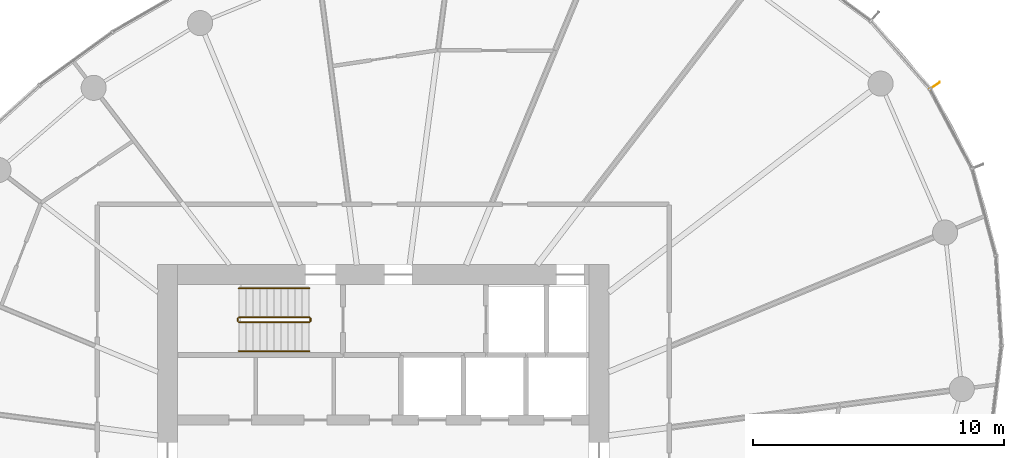
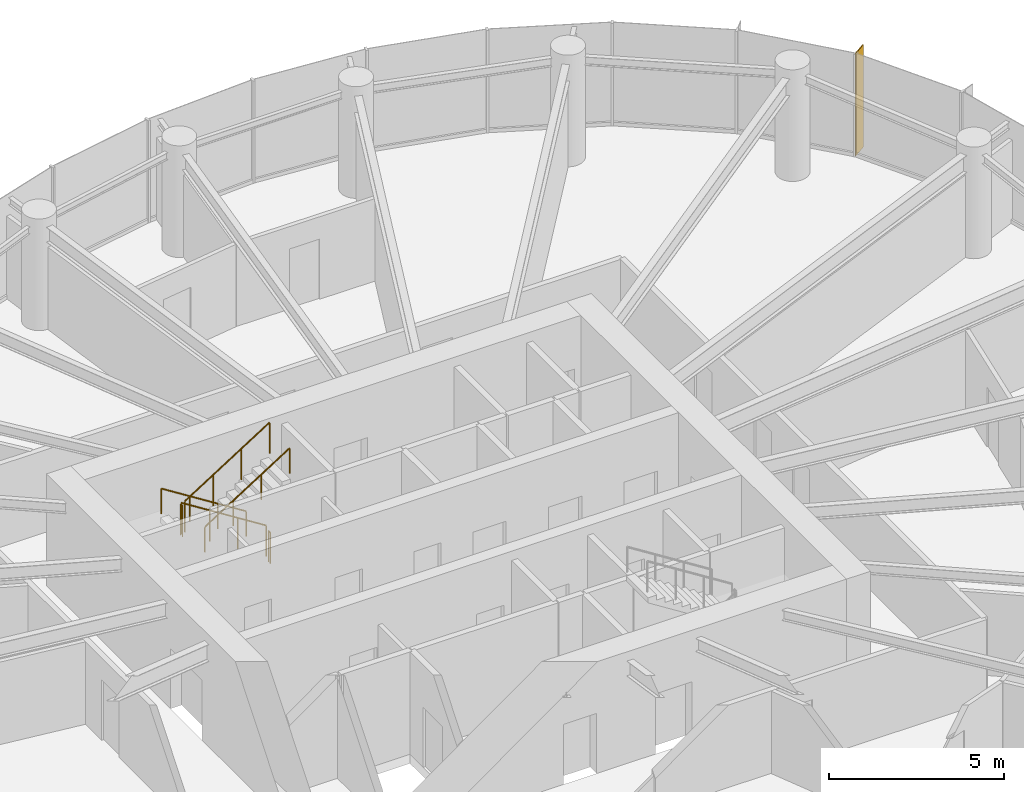
# One storey, part 13 of 14: 6 railings, 1 shading device.
"""IFC4 building model written with IfcOpenShell, lengths in metres."""

from ifc_helpers import new_model, si_unit, direction, frame, origin, origin_2d, place, context, subcontext, project, spatial, rectangle, circle, extrude, source, transform, mapped, material, material_profile, profile_set, type_object, element, save


model = new_model("IFC4")

# Units and contexts
model_context = context("Model", 3, precision=1e-05, world=origin(), true_north=direction((0.0, 1.0)))
body_context = subcontext(model_context, "Body", "Model", "MODEL_VIEW")
ifc_project = project(units=[si_unit("LENGTHUNIT", "METRE"), si_unit("AREAUNIT", "SQUARE_METRE"), si_unit("VOLUMEUNIT", "CUBIC_METRE"), si_unit("PLANEANGLEUNIT", "RADIAN"), si_unit("MASSUNIT", "GRAM", prefix="KILO")], contexts=[model_context])

# Site, building, storey
site_placement = place(None, origin())
site = spatial("IfcSite", under=ifc_project, at=site_placement, CompositionType="ELEMENT")
building_placement = place(site_placement, origin())
building = spatial("IfcBuilding", under=site, at=building_placement, Name="Spindrift Exchange Tower", CompositionType="ELEMENT")
storey_placement = place(building_placement, frame((0.0, 0.0, 148.699951171875)))
storey = spatial("IfcBuildingStorey", under=building, at=storey_placement, Name="L35", CompositionType="ELEMENT", Elevation=148.699951171875)

# Railings
ifc_material_1 = material(Name="Steel balustrade", Category="steel")
railing_type_1 = type_object("IfcRailingType", Name="RL-STAIR-GUARD", PredefinedType="GUARDRAIL", material=ifc_material_1)
railing_1_placement = place(storey_placement, frame((49.050048828125, 53.89990234375, 0.17724609375)))
element("IfcRailing", 1, at=railing_1_placement, inside=storey, type_object=railing_type_1, Name="L35 ST1 stair guard 1", PredefinedType="GUARDRAIL", context=body_context, shape_type="SweptSolid", body=[
    extrude(circle(Radius=0.02392578125, at=origin_2d()), frame((0.0, 0.0, 1.076171875), z_axis=(-0.844908973607, 0.0, 0.534910110503), x_axis=(0.0, -1.0, 0.0)), (0.0, 0.0, 1.0), 3.31396484375),
    extrude(circle(Radius=0.02099609375, at=origin_2d()), origin(), (0.0, 0.0, 1.0), 1.052001953125),
    extrude(circle(Radius=0.02099609375, at=origin_2d()), frame((-0.933349609375, 0.0, 0.5908203125)), (0.0, 0.0, 1.0), 1.052001953125),
    extrude(circle(Radius=0.02099609375, at=origin_2d()), frame((-1.86669921875, 0.0, 1.181884765625)), (0.0, 0.0, 1.0), 1.052001953125),
    extrude(circle(Radius=0.02099609375, at=origin_2d()), frame((-2.800048828125, 0.0, 1.772705078125)), (0.0, 0.0, 1.0), 1.052001953125),
])
railing_2_placement = place(storey_placement, frame((46.199951171875, 53.85009765625, 1.949951171875)))
element("IfcRailing", 2, at=railing_2_placement, inside=storey, type_object=railing_type_1, Name="L35 ST1 stair guard 2", PredefinedType="GUARDRAIL", context=body_context, shape_type="SweptSolid", body=[
    extrude(circle(Radius=0.02392578125, at=origin_2d()), frame((0.0, 0.0, 1.076171875), z_axis=(0.0, -1.0, 0.0), x_axis=(1.0, 0.0, 0.0)), (0.0, 0.0, 1.0), 0.10009765625),
    extrude(circle(Radius=0.02099609375, at=origin_2d()), origin(), (0.0, 0.0, 1.0), 1.052001953125),
    extrude(circle(Radius=0.02099609375, at=origin_2d()), frame((0.0, -0.10009765625, 0.0)), (0.0, 0.0, 1.0), 1.052001953125),
])
railing_3_placement = place(storey_placement, frame((46.25, 53.699951171875, 2.12744140625)))
element("IfcRailing", 3, at=railing_3_placement, inside=storey, type_object=railing_type_1, Name="L35 ST1 stair guard 3", PredefinedType="GUARDRAIL", context=body_context, shape_type="SweptSolid", body=[
    extrude(circle(Radius=0.02392578125, at=origin_2d()), frame((0.0, 0.0, 1.076171875), z_axis=(0.844908973607, 0.0, 0.534910110503), x_axis=(0.0, 1.0, 0.0)), (0.0, 0.0, 1.0), 3.31396484375),
    extrude(circle(Radius=0.02099609375, at=origin_2d()), origin(), (0.0, 0.0, 1.0), 1.052001953125),
    extrude(circle(Radius=0.02099609375, at=origin_2d()), frame((0.933349609375, 0.0, 0.5908203125)), (0.0, 0.0, 1.0), 1.052001953125),
    extrude(circle(Radius=0.02099609375, at=origin_2d()), frame((1.86669921875, 0.0, 1.181884765625)), (0.0, 0.0, 1.0), 1.052001953125),
    extrude(circle(Radius=0.02099609375, at=origin_2d()), frame((2.800048828125, 0.0, 1.772705078125)), (0.0, 0.0, 1.0), 1.052001953125),
])
railing_4_placement = place(storey_placement, frame((49.10009765625, 53.85009765625, 0.0)))
element("IfcRailing", 4, at=railing_4_placement, inside=storey, type_object=railing_type_1, Name="L35 ST1 stair guard 4", PredefinedType="GUARDRAIL", context=body_context, shape_type="SweptSolid", body=[
    extrude(circle(Radius=0.02392578125, at=origin_2d()), frame((0.0, 0.0, 1.076171875), z_axis=(0.0, -1.0, 0.0), x_axis=(1.0, 0.0, 0.0)), (0.0, 0.0, 1.0), 0.10009765625),
    extrude(circle(Radius=0.02099609375, at=origin_2d()), origin(), (0.0, 0.0, 1.0), 1.052001953125),
    extrude(circle(Radius=0.02099609375, at=origin_2d()), frame((0.0, -0.10009765625, 0.0)), (0.0, 0.0, 1.0), 1.052001953125),
])
ifc_material_2 = material(Name="Steel tubular handrail", Category="steel")
railing_type_2 = type_object("IfcRailingType", Name="RL-STAIR-HAND", PredefinedType="HANDRAIL", material=ifc_material_2)
railing_5_placement = place(storey_placement, frame((49.050048828125, 55.050048828125, 0.17724609375)))
element("IfcRailing", 5, at=railing_5_placement, inside=storey, type_object=railing_type_2, Name="L35 ST1 stair handrail 1", PredefinedType="HANDRAIL", context=body_context, shape_type="SweptSolid", body=[
    extrude(circle(Radius=0.02392578125, at=origin_2d()), frame((0.0, 0.0, 0.8759765625), z_axis=(-0.844908973607, 0.0, 0.534910110503), x_axis=(0.0, -1.0, 0.0)), (0.0, 0.0, 1.0), 3.31396484375),
    extrude(circle(Radius=0.02099609375, at=origin_2d()), origin(), (0.0, 0.0, 1.0), 0.851806640625),
    extrude(circle(Radius=0.02099609375, at=origin_2d()), frame((-0.933349609375, 0.0, 0.5908203125)), (0.0, 0.0, 1.0), 0.851806640625),
    extrude(circle(Radius=0.02099609375, at=origin_2d()), frame((-1.86669921875, 0.0, 1.181884765625)), (0.0, 0.0, 1.0), 0.851806640625),
    extrude(circle(Radius=0.02099609375, at=origin_2d()), frame((-2.800048828125, 0.0, 1.772705078125)), (0.0, 0.0, 1.0), 0.851806640625),
])
railing_6_placement = place(storey_placement, frame((46.25, 52.550048828125, 2.12744140625)))
element("IfcRailing", 6, at=railing_6_placement, inside=storey, type_object=railing_type_2, Name="L35 ST1 stair handrail 2", PredefinedType="HANDRAIL", context=body_context, shape_type="SweptSolid", body=[
    extrude(circle(Radius=0.02392578125, at=origin_2d()), frame((0.0, 0.0, 0.8759765625), z_axis=(0.844908973607, 0.0, 0.534910110503), x_axis=(0.0, 1.0, 0.0)), (0.0, 0.0, 1.0), 3.31396484375),
    extrude(circle(Radius=0.02099609375, at=origin_2d()), origin(), (0.0, 0.0, 1.0), 0.851806640625),
    extrude(circle(Radius=0.02099609375, at=origin_2d()), frame((0.933349609375, 0.0, 0.5908203125)), (0.0, 0.0, 1.0), 0.851806640625),
    extrude(circle(Radius=0.02099609375, at=origin_2d()), frame((1.86669921875, 0.0, 1.181884765625)), (0.0, 0.0, 1.0), 0.851806640625),
    extrude(circle(Radius=0.02099609375, at=origin_2d()), frame((2.800048828125, 0.0, 1.772705078125)), (0.0, 0.0, 1.0), 0.851806640625),
])

# Shading device
ifc_material_3 = material(Name="Bronze anodised aluminium", Category="aluminium")
ifc_material_profile = material_profile(ifc_material_3, rectangle(XDim=0.030029296875, YDim=0.5, at=origin_2d()), Name="WIND FIN 30X500")
ifc_profile_set = profile_set([ifc_material_profile], Name="Bronze anodised aluminium")
shading_device_type = type_object("IfcShadingDeviceType", Name="WIND FIN 30X500", PredefinedType="USERDEFINED", material=ifc_profile_set)
shared_shape = source(origin(), body_context, "Body", "SweptSolid", [
    extrude(rectangle(XDim=0.030029296875, YDim=0.5, at=origin_2d()), origin(), (0.0, 0.0, 1.0), 3.580078125),
])
shading_device_placement = place(storey_placement, frame((73.978515625, 63.12744140625, 0.0), z_axis=(0.0, 0.0, 1.0), x_axis=(-0.566967070569, 0.823740457238, 0.0)))
element("IfcShadingDevice", 7, at=shading_device_placement, inside=storey, type_object=shading_device_type, Name="L35 wind fin 2", ObjectType="FIN", PredefinedType="USERDEFINED", context=body_context, shape_type="MappedRepresentation", body=[
    mapped(shared_shape, transform((0.0, 0.0, 0.0), scale=1.0)),
])

save(model, "model.ifc")
